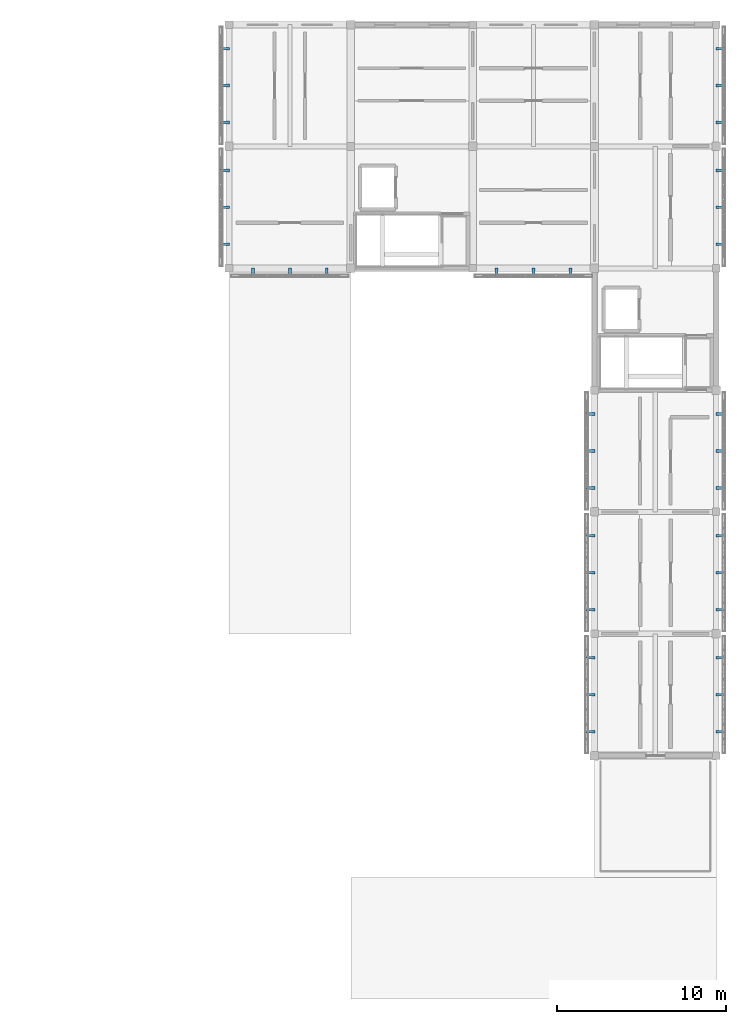
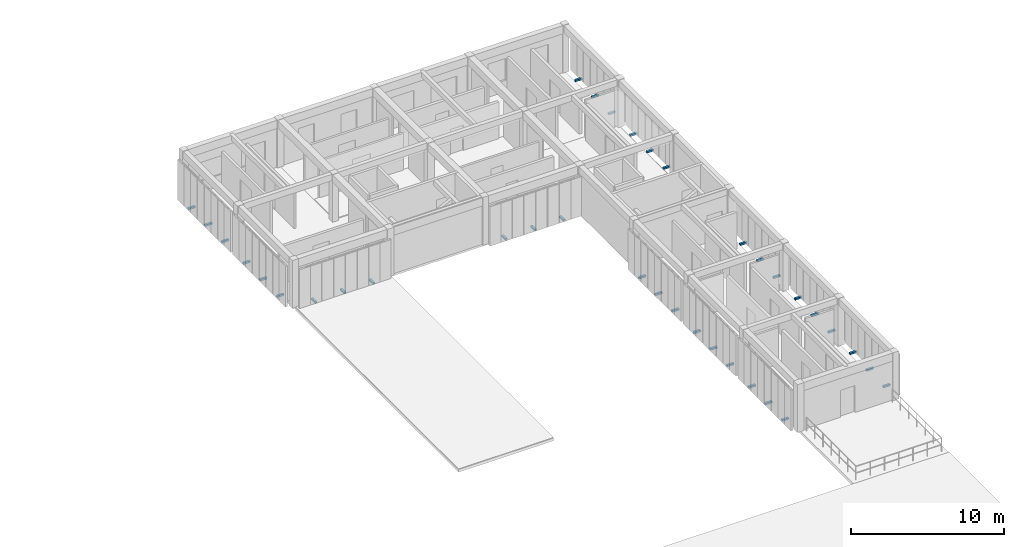
# One storey, part 30 of 33: 36 discrete accessories.
"""IFC4 building model written with IfcOpenShell, lengths in metres."""

from ifc_helpers import new_model, si_unit, direction, frame, origin, origin_2d, place, context, subcontext, project, spatial, rectangle, extrude, material, type_object, element, save


model = new_model("IFC4")

# Units and contexts
model_context = context("Model", 3, precision=1e-05, world=origin(), true_north=direction((0.0, 1.0)))
body_context = subcontext(model_context, "Body", "Model", "MODEL_VIEW")
ifc_project = project(units=[si_unit("LENGTHUNIT", "METRE"), si_unit("AREAUNIT", "SQUARE_METRE"), si_unit("VOLUMEUNIT", "CUBIC_METRE"), si_unit("PLANEANGLEUNIT", "RADIAN"), si_unit("MASSUNIT", "GRAM", prefix="KILO")], contexts=[model_context])

# Site, building, storey
site_placement = place(None, origin())
site = spatial("IfcSite", under=ifc_project, at=site_placement, CompositionType="ELEMENT")
building_placement = place(site_placement, origin())
building = spatial("IfcBuilding", under=site, at=building_placement, Name="Aldebral Square Health Centre", CompositionType="ELEMENT")
storey_placement = place(building_placement, frame((0.0, 0.0, 17.550048828125)))
storey = spatial("IfcBuildingStorey", under=building, at=storey_placement, Name="L04", CompositionType="ELEMENT", Elevation=17.550048828125)

# Discrete accessories
ifc_material = material(Name="Steel S355JR", Category="steel")
discrete_accessory_type = type_object("IfcDiscreteAccessoryType", Name="ACC-BRK-1", PredefinedType="BRACKET", material=ifc_material)
for number, where, z_axis, x_axis, name in (
    (1, (138.216064453125, 100.570068359375, -0.009765625), (0.0, 0.0, 1.0), (1.0, 0.0, 0.0), "L04 finned curtain-wall bracket L04-V5-19-14-S.1"),
    (2, (140.39990234375, 100.570068359375, -0.009765625), (0.0, 0.0, 1.0), (1.0, 0.0, 0.0), "L04 finned curtain-wall bracket L04-V5-19-14-S.2"),
    (3, (142.583984375, 100.570068359375, -0.009765625), (0.0, 0.0, 1.0), (1.0, 0.0, 0.0), "L04 finned curtain-wall bracket L04-V5-19-14-S.3"),
    (4, (136.570068359375, 106.583984375, -0.009765625), (0.0, 0.0, 1.0), (0.0, 1.0, 0.0), "L04 finned curtain-wall bracket L04-V5-19-14-W.1"),
    (5, (136.570068359375, 104.39990234375, -0.009765625), (0.0, 0.0, 1.0), (0.0, 1.0, 0.0), "L04 finned curtain-wall bracket L04-V5-19-14-W.2"),
    (6, (136.570068359375, 102.216064453125, -0.009765625), (0.0, 0.0, 1.0), (0.0, 1.0, 0.0), "L04 finned curtain-wall bracket L04-V5-19-14-W.3"),
    (7, (136.570068359375, 113.783935546875, -0.009765625), (0.0, 0.0, 1.0), (0.0, 1.0, 0.0), "L04 finned curtain-wall bracket L04-V5-19-15-W.1"),
    (8, (136.570068359375, 111.60009765625, -0.009765625), (0.0, 0.0, 1.0), (0.0, 1.0, 0.0), "L04 finned curtain-wall bracket L04-V5-19-15-W.2"),
    (9, (136.570068359375, 109.416015625, -0.009765625), (0.0, 0.0, 1.0), (0.0, 1.0, 0.0), "L04 finned curtain-wall bracket L04-V5-19-15-W.3"),
    (10, (152.615966796875, 100.570068359375, -0.009765625), (0.0, 0.0, 1.0), (1.0, 0.0, 0.0), "L04 finned curtain-wall bracket L04-V5-21-14-S.1"),
    (11, (154.800048828125, 100.570068359375, -0.009765625), (0.0, 0.0, 1.0), (1.0, 0.0, 0.0), "L04 finned curtain-wall bracket L04-V5-21-14-S.2"),
    (12, (156.98388671875, 100.570068359375, -0.009765625), (0.0, 0.0, 1.0), (1.0, 0.0, 0.0), "L04 finned curtain-wall bracket L04-V5-21-14-S.3"),
    (13, (158.169921875, 77.783935546875, -0.009765625), (0.0, 0.0, 1.0), (0.0, 1.0, 0.0), "L04 finned curtain-wall bracket L04-V5-22-10-W.1"),
    (14, (158.169921875, 75.60009765625, -0.009765625), (0.0, 0.0, 1.0), (0.0, 1.0, 0.0), "L04 finned curtain-wall bracket L04-V5-22-10-W.2"),
    (15, (158.169921875, 73.416015625, -0.009765625), (0.0, 0.0, 1.0), (0.0, 1.0, 0.0), "L04 finned curtain-wall bracket L04-V5-22-10-W.3"),
    (16, (165.830078125, 73.416015625, -0.009765625), (0.0, 0.0, 1.0), (0.0, 1.0, 0.0), "L04 finned curtain-wall bracket L04-V5-22-10-E.1"),
    (17, (165.830078125, 75.60009765625, -0.009765625), (0.0, 0.0, 1.0), (0.0, 1.0, 0.0), "L04 finned curtain-wall bracket L04-V5-22-10-E.2"),
    (18, (165.830078125, 77.783935546875, -0.009765625), (0.0, 0.0, 1.0), (0.0, 1.0, 0.0), "L04 finned curtain-wall bracket L04-V5-22-10-E.3"),
    (19, (158.169921875, 84.98388671875, -0.009765625), (0.0, 0.0, 1.0), (0.0, 1.0, 0.0), "L04 finned curtain-wall bracket L04-V5-22-11-W.1"),
    (20, (158.169921875, 82.800048828125, -0.009765625), (0.0, 0.0, 1.0), (0.0, 1.0, 0.0), "L04 finned curtain-wall bracket L04-V5-22-11-W.2"),
    (21, (158.169921875, 80.615966796875, -0.009765625), (0.0, 0.0, 1.0), (0.0, 1.0, 0.0), "L04 finned curtain-wall bracket L04-V5-22-11-W.3"),
    (22, (165.830078125, 80.615966796875, -0.009765625), (0.0, 0.0, 1.0), (0.0, 1.0, 0.0), "L04 finned curtain-wall bracket L04-V5-22-11-E.1"),
    (23, (165.830078125, 82.800048828125, -0.009765625), (0.0, 0.0, 1.0), (0.0, 1.0, 0.0), "L04 finned curtain-wall bracket L04-V5-22-11-E.2"),
    (24, (165.830078125, 84.98388671875, -0.009765625), (0.0, 0.0, 1.0), (0.0, 1.0, 0.0), "L04 finned curtain-wall bracket L04-V5-22-11-E.3"),
    (25, (158.169921875, 92.18408203125, -0.009765625), (0.0, 0.0, 1.0), (0.0, 1.0, 0.0), "L04 finned curtain-wall bracket L04-V5-22-12-W.1"),
    (26, (158.169921875, 90.0, -0.009765625), (0.0, 0.0, 1.0), (0.0, 1.0, 0.0), "L04 finned curtain-wall bracket L04-V5-22-12-W.2"),
    (27, (158.169921875, 87.81591796875, -0.009765625), (0.0, 0.0, 1.0), (0.0, 1.0, 0.0), "L04 finned curtain-wall bracket L04-V5-22-12-W.3"),
    (28, (165.830078125, 87.81591796875, -0.009765625), (0.0, 0.0, 1.0), (0.0, 1.0, 0.0), "L04 finned curtain-wall bracket L04-V5-22-12-E.1"),
    (29, (165.830078125, 90.0, -0.009765625), (0.0, 0.0, 1.0), (0.0, 1.0, 0.0), "L04 finned curtain-wall bracket L04-V5-22-12-E.2"),
    (30, (165.830078125, 92.18408203125, -0.009765625), (0.0, 0.0, 1.0), (0.0, 1.0, 0.0), "L04 finned curtain-wall bracket L04-V5-22-12-E.3"),
    (31, (165.830078125, 102.216064453125, -0.009765625), (0.0, 0.0, 1.0), (0.0, 1.0, 0.0), "L04 finned curtain-wall bracket L04-V5-22-14-E.1"),
    (32, (165.830078125, 104.39990234375, -0.009765625), (0.0, 0.0, 1.0), (0.0, 1.0, 0.0), "L04 finned curtain-wall bracket L04-V5-22-14-E.2"),
    (33, (165.830078125, 106.583984375, -0.009765625), (0.0, 0.0, 1.0), (0.0, 1.0, 0.0), "L04 finned curtain-wall bracket L04-V5-22-14-E.3"),
    (34, (165.830078125, 109.416015625, -0.009765625), (0.0, 0.0, 1.0), (0.0, 1.0, 0.0), "L04 finned curtain-wall bracket L04-V5-22-15-E.1"),
    (35, (165.830078125, 111.60009765625, -0.009765625), (0.0, 0.0, 1.0), (0.0, 1.0, 0.0), "L04 finned curtain-wall bracket L04-V5-22-15-E.2"),
    (36, (165.830078125, 113.783935546875, -0.009765625), (0.0, 0.0, 1.0), (0.0, 1.0, 0.0), "L04 finned curtain-wall bracket L04-V5-22-15-E.3"),
):
    element("IfcDiscreteAccessory", number, at=place(storey_placement, frame(where, z_axis=z_axis, x_axis=x_axis)), inside=storey, type_object=discrete_accessory_type, Name=name, PredefinedType="BRACKET", context=body_context, shape_type="SweptSolid", body=[
        extrude(rectangle(XDim=0.159912109375, YDim=0.52001953125, at=origin_2d()), origin(), (0.0, 0.0, 1.0), 0.139892578125),
    ])

save(model, "model.ifc")
